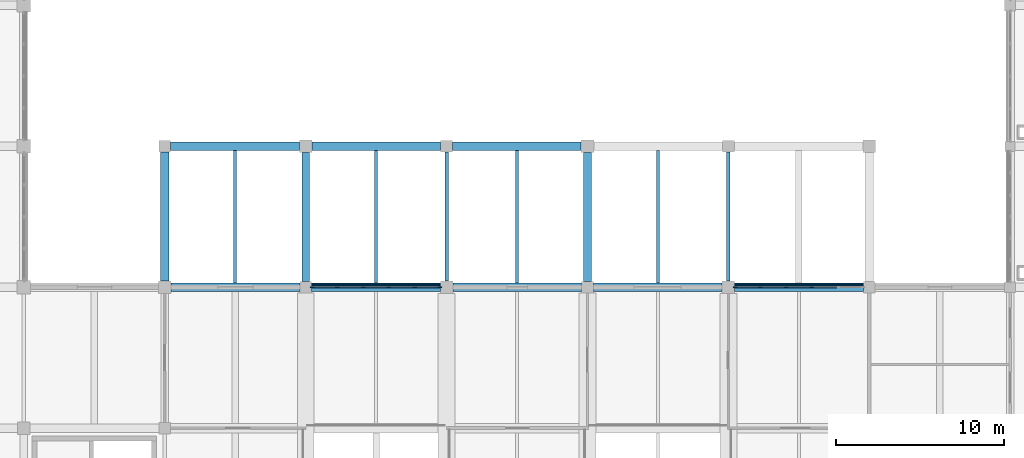
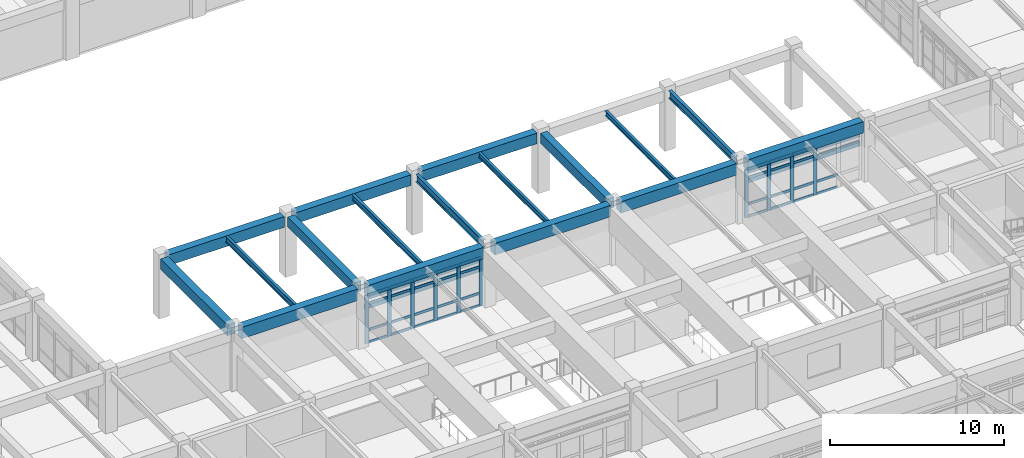
# One storey, part 33 of 99: 48 members, 17 beams, 2 elements without a shape of their own.
"""IFC4 building model written with IfcOpenShell, lengths in metres."""

from ifc_helpers import new_model, si_unit, direction, frame, origin, origin_2d, place, context, subcontext, project, spatial, rectangle, i_section, extrude, material, layer, layer_set, material_profile, profile_set, type_object, element, aggregate, save


model = new_model("IFC4")

# Units and contexts
model_context = context("Model", 3, precision=1e-05, world=origin(), true_north=direction((0.0, 1.0)))
body_context = subcontext(model_context, "Body", "Model", "MODEL_VIEW")
ifc_project = project(units=[si_unit("LENGTHUNIT", "METRE"), si_unit("AREAUNIT", "SQUARE_METRE"), si_unit("VOLUMEUNIT", "CUBIC_METRE"), si_unit("PLANEANGLEUNIT", "RADIAN"), si_unit("MASSUNIT", "GRAM", prefix="KILO")], contexts=[model_context])

# Site, building, storey
site_placement = place(None, origin())
site = spatial("IfcSite", under=ifc_project, at=site_placement, CompositionType="ELEMENT")
building_placement = place(site_placement, origin())
building = spatial("IfcBuilding", under=site, at=building_placement, Name="Porcellanite Civic Hall", CompositionType="ELEMENT")
storey_placement = place(building_placement, frame((0.0, 0.0, 5.760009765625)))
storey = spatial("IfcBuildingStorey", under=building, at=storey_placement, Name="L01", CompositionType="ELEMENT", Elevation=5.760009765625)

# Beams
ifc_material_1 = material(Name="Concrete N50 (50 MPa)", Category="concrete")
ifc_material_profile_1 = material_profile(ifc_material_1, rectangle(XDim=0.449951171875, YDim=0.699951171875, at=origin_2d()), Name="RC-450x700")
ifc_profile_set_1 = profile_set([ifc_material_profile_1], Name="Concrete N50 (50 MPa)")
beam_type_1 = type_object("IfcBeamType", Name="BM-RC700", PredefinedType="BEAM", material=ifc_profile_set_1)
for number, where, z_axis, x_axis, name in (
    (1, (75.60009765625, 67.549560546875, 3.85009765625), (0.0, 1.0, 0.0), (-1.0, 0.0, 0.0), "Beam Y L01 10-9"),
    (2, (92.39990234375, 67.549560546875, 3.85009765625), (0.0, 1.0, 0.0), (-1.0, 0.0, 0.0), "Beam Y L01 12-9"),
):
    element("IfcBeam", number, at=place(storey_placement, frame(where, z_axis=z_axis, x_axis=x_axis)), inside=storey, type_object=beam_type_1, Name=name, PredefinedType="BEAM", context=body_context, shape_type="SweptSolid", body=[
        extrude(rectangle(XDim=0.449951171875, YDim=0.699951171875, at=origin_2d()), origin(), (0.0, 0.0, 1.0), 7.676025390625),
    ])
ifc_material_2 = material(Name="Concrete N50 (50 MPa)", Category="concrete")
ifc_material_profile_2 = material_profile(ifc_material_2, rectangle(XDim=0.5, YDim=0.75, at=origin_2d()), Name="RC-500x750")
ifc_profile_set_2 = profile_set([ifc_material_profile_2], Name="Concrete N50 (50 MPa)")
beam_type_2 = type_object("IfcBeamType", Name="BM-RC750", PredefinedType="SPANDREL", material=ifc_profile_set_2)
beam_1_placement = place(storey_placement, frame((67.549560546875, 75.60009765625, 3.824951171875), z_axis=(1.0, 0.0, 0.0), x_axis=(0.0, 1.0, 0.0)))
element("IfcBeam", 3, at=beam_1_placement, inside=storey, type_object=beam_type_2, Name="Beam X L01 9-10", PredefinedType="SPANDREL", context=body_context, shape_type="SweptSolid", body=[
    extrude(rectangle(XDim=0.5, YDim=0.75, at=origin_2d()), origin(), (0.0, 0.0, 1.0), 7.676025390625),
])
for number, where, z_axis, x_axis, name in (
    (4, (75.974609375, 75.60009765625, 3.824951171875), (1.0, 0.0, 0.0), (0.0, 1.0, 0.0), "Beam X L01 10-10"),
    (5, (84.349609375, 75.60009765625, 3.824951171875), (1.0, 0.0, 0.0), (0.0, 1.0, 0.0), "Beam X L01 11-10"),
):
    element("IfcBeam", number, at=place(storey_placement, frame(where, z_axis=z_axis, x_axis=x_axis)), inside=storey, type_object=beam_type_2, Name=name, PredefinedType="SPANDREL", context=body_context, shape_type="SweptSolid", body=[
        extrude(rectangle(XDim=0.5, YDim=0.75, at=origin_2d()), origin(), (0.0, 0.0, 1.0), 7.67578125),
    ])
beam_2_placement = place(storey_placement, frame((67.199951171875, 67.574462890625, 3.824951171875), z_axis=(0.0, 1.0, 0.0), x_axis=(-1.0, 0.0, 0.0)))
element("IfcBeam", 6, at=beam_2_placement, inside=storey, type_object=beam_type_2, Name="Beam Y L01 9-9", PredefinedType="SPANDREL", context=body_context, shape_type="SweptSolid", body=[
    extrude(rectangle(XDim=0.5, YDim=0.75, at=origin_2d()), origin(), (0.0, 0.0, 1.0), 7.676025390625),
])
ifc_material_3 = material(Name="Concrete N50 (50 MPa)", Category="concrete")
ifc_material_profile_3 = material_profile(ifc_material_3, rectangle(XDim=0.5, YDim=0.800048828125, at=origin_2d()), Name="RC-500x800")
ifc_profile_set_3 = profile_set([ifc_material_profile_3], Name="Concrete N50 (50 MPa)")
beam_type_3 = type_object("IfcBeamType", Name="BM-RC800", PredefinedType="BEAM", material=ifc_profile_set_3)
for number, where, z_axis, x_axis, name in (
    (7, (67.574462890625, 67.199951171875, 3.800048828125), (1.0, 0.0, 0.0), (0.0, 1.0, 0.0), "Beam X L01 9-9"),
    (8, (75.949462890625, 67.199951171875, 3.800048828125), (1.0, 0.0, 0.0), (0.0, 1.0, 0.0), "Beam X L01 10-9"),
    (9, (84.37451171875, 67.199951171875, 3.800048828125), (1.0, 0.0, 0.0), (0.0, 1.0, 0.0), "Beam X L01 11-9"),
    (10, (92.74951171875, 67.199951171875, 3.800048828125), (1.0, 0.0, 0.0), (0.0, 1.0, 0.0), "Beam X L01 12-9"),
    (11, (101.174560546875, 67.199951171875, 3.800048828125), (1.0, 0.0, 0.0), (0.0, 1.0, 0.0), "Beam X L01 13-9"),
):
    element("IfcBeam", number, at=place(storey_placement, frame(where, z_axis=z_axis, x_axis=x_axis)), inside=storey, type_object=beam_type_3, Name=name, PredefinedType="BEAM", context=body_context, shape_type="SweptSolid", body=[
        extrude(rectangle(XDim=0.5, YDim=0.800048828125, at=origin_2d()), origin(), (0.0, 0.0, 1.0), 7.676025390625),
    ])

# Curtain wall, members
ifc_material_4 = material(Name="Anodised aluminium and solar laminated glass", Category="aluminium")
ifc_layer = layer(ifc_material_4, 0.179931640625)
ifc_layer_set = layer_set([ifc_layer], Name="Anodised aluminium and solar laminated glass")
curtain_wall_type = type_object("IfcCurtainWallType", Name="CW-SYS01", PredefinedType="NOTDEFINED", material=ifc_layer_set)
curtain_wall_1_placement = place(storey_placement, origin())
curtain_wall_1 = element("IfcCurtainWall", 12, at=curtain_wall_1_placement, inside=storey, type_object=curtain_wall_type, Name="Curtain wall CW-093", PredefinedType="NOTDEFINED")
ifc_material_5 = material(Name="Anodised aluminium 6063-T6", Category="aluminium")
ifc_material_profile_4 = material_profile(ifc_material_5, rectangle(XDim=0.080078125, YDim=0.239990234375, at=origin_2d()), Name="AL-80x240")
ifc_profile_set_4 = profile_set([ifc_material_profile_4], Name="Anodised aluminium 6063-T6")
member_type_1 = type_object("IfcMemberType", Name="CWM-01", PredefinedType="MULLION", material=ifc_profile_set_4)
member_1_placement = place(storey_placement, frame((75.990966796875, 67.199951171875, 0.0), z_axis=(0.0, 0.0, 1.0), x_axis=(0.0, 1.0, 0.0)))
member_1 = element("IfcMember", 13, at=member_1_placement, type_object=member_type_1, Name="CW-093 mullion 1", PredefinedType="MULLION", context=body_context, shape_type="SweptSolid", body=[
    extrude(rectangle(XDim=0.080078125, YDim=0.239990234375, at=origin_2d()), origin(), (0.0, 0.0, 1.0), 3.39990234375),
])
member_2_placement = place(storey_placement, frame((77.485595703125, 67.199951171875, 0.0), z_axis=(0.0, 0.0, 1.0), x_axis=(0.0, 1.0, 0.0)))
member_2 = element("IfcMember", 14, at=member_2_placement, type_object=member_type_1, Name="CW-093 mullion 2", PredefinedType="MULLION", context=body_context, shape_type="SweptSolid", body=[
    extrude(rectangle(XDim=0.080078125, YDim=0.239990234375, at=origin_2d()), origin(), (0.0, 0.0, 1.0), 3.39990234375),
])
member_3_placement = place(storey_placement, frame((79.020263671875, 67.199951171875, 0.0), z_axis=(0.0, 0.0, 1.0), x_axis=(0.0, 1.0, 0.0)))
member_3 = element("IfcMember", 15, at=member_3_placement, type_object=member_type_1, Name="CW-093 mullion 3", PredefinedType="MULLION", context=body_context, shape_type="SweptSolid", body=[
    extrude(rectangle(XDim=0.080078125, YDim=0.239990234375, at=origin_2d()), origin(), (0.0, 0.0, 1.0), 3.39990234375),
])
member_4_placement = place(storey_placement, frame((80.5546875, 67.199951171875, 0.0), z_axis=(0.0, 0.0, 1.0), x_axis=(0.0, 1.0, 0.0)))
member_4 = element("IfcMember", 16, at=member_4_placement, type_object=member_type_1, Name="CW-093 mullion 4", PredefinedType="MULLION", context=body_context, shape_type="SweptSolid", body=[
    extrude(rectangle(XDim=0.080078125, YDim=0.239990234375, at=origin_2d()), origin(), (0.0, 0.0, 1.0), 3.39990234375),
])
member_5_placement = place(storey_placement, frame((82.08935546875, 67.199951171875, 0.0), z_axis=(0.0, 0.0, 1.0), x_axis=(0.0, 1.0, 0.0)))
member_5 = element("IfcMember", 17, at=member_5_placement, type_object=member_type_1, Name="CW-093 mullion 5", PredefinedType="MULLION", context=body_context, shape_type="SweptSolid", body=[
    extrude(rectangle(XDim=0.080078125, YDim=0.239990234375, at=origin_2d()), origin(), (0.0, 0.0, 1.0), 3.39990234375),
])
member_6_placement = place(storey_placement, frame((83.583984375, 67.199951171875, 0.0), z_axis=(0.0, 0.0, 1.0), x_axis=(0.0, 1.0, 0.0)))
member_6 = element("IfcMember", 18, at=member_6_placement, type_object=member_type_1, Name="CW-093 mullion 6", PredefinedType="MULLION", context=body_context, shape_type="SweptSolid", body=[
    extrude(rectangle(XDim=0.080078125, YDim=0.239990234375, at=origin_2d()), origin(), (0.0, 0.0, 1.0), 3.39990234375),
])

curtain_wall_2_placement = place(storey_placement, origin())
curtain_wall_2 = element("IfcCurtainWall", 19, at=curtain_wall_2_placement, inside=storey, type_object=curtain_wall_type, Name="Curtain wall CW-103", PredefinedType="NOTDEFINED")
member_7_placement = place(storey_placement, frame((101.216064453125, 67.199951171875, 0.0), z_axis=(0.0, 0.0, 1.0), x_axis=(0.0, 1.0, 0.0)))
member_7 = element("IfcMember", 20, at=member_7_placement, type_object=member_type_1, Name="CW-103 mullion 1", PredefinedType="MULLION", context=body_context, shape_type="SweptSolid", body=[
    extrude(rectangle(XDim=0.080078125, YDim=0.239990234375, at=origin_2d()), origin(), (0.0, 0.0, 1.0), 3.39990234375),
])
member_8_placement = place(storey_placement, frame((102.710693359375, 67.199951171875, 0.0), z_axis=(0.0, 0.0, 1.0), x_axis=(0.0, 1.0, 0.0)))
member_8 = element("IfcMember", 21, at=member_8_placement, type_object=member_type_1, Name="CW-103 mullion 2", PredefinedType="MULLION", context=body_context, shape_type="SweptSolid", body=[
    extrude(rectangle(XDim=0.080078125, YDim=0.239990234375, at=origin_2d()), origin(), (0.0, 0.0, 1.0), 3.39990234375),
])
member_9_placement = place(storey_placement, frame((104.2451171875, 67.199951171875, 0.0), z_axis=(0.0, 0.0, 1.0), x_axis=(0.0, 1.0, 0.0)))
member_9 = element("IfcMember", 22, at=member_9_placement, type_object=member_type_1, Name="CW-103 mullion 3", PredefinedType="MULLION", context=body_context, shape_type="SweptSolid", body=[
    extrude(rectangle(XDim=0.080078125, YDim=0.239990234375, at=origin_2d()), origin(), (0.0, 0.0, 1.0), 3.39990234375),
])
member_10_placement = place(storey_placement, frame((105.77978515625, 67.199951171875, 0.0), z_axis=(0.0, 0.0, 1.0), x_axis=(0.0, 1.0, 0.0)))
member_10 = element("IfcMember", 23, at=member_10_placement, type_object=member_type_1, Name="CW-103 mullion 4", PredefinedType="MULLION", context=body_context, shape_type="SweptSolid", body=[
    extrude(rectangle(XDim=0.080078125, YDim=0.239990234375, at=origin_2d()), origin(), (0.0, 0.0, 1.0), 3.39990234375),
])

# Member
ifc_material_6 = material(Name="Anodised aluminium 6063-T6", Category="aluminium")
ifc_material_profile_5 = material_profile(ifc_material_6, rectangle(XDim=0.070068359375, YDim=0.175048828125, at=origin_2d()), Name="AL-70x175")
ifc_profile_set_5 = profile_set([ifc_material_profile_5], Name="Anodised aluminium 6063-T6")
member_type_2 = type_object("IfcMemberType", Name="CWT-01", PredefinedType="USERDEFINED", material=ifc_profile_set_5)
member_11_placement = place(storey_placement, frame((76.031005859375, 67.199951171875, 0.034912109375), z_axis=(1.0, 0.0, 0.0), x_axis=(0.0, 1.0, 0.0)))
member_11 = element("IfcMember", 24, at=member_11_placement, type_object=member_type_2, Name="CW-093 transom 1.1", ObjectType="TRANSOM", PredefinedType="USERDEFINED", context=body_context, shape_type="SweptSolid", body=[
    extrude(rectangle(XDim=0.070068359375, YDim=0.175048828125, at=origin_2d()), origin(), (0.0, 0.0, 1.0), 1.41455078125),
])

member_12_placement = place(storey_placement, frame((76.031005859375, 67.199951171875, 0.89990234375), z_axis=(1.0, 0.0, 0.0), x_axis=(0.0, 1.0, 0.0)))
member_12 = element("IfcMember", 25, at=member_12_placement, type_object=member_type_2, Name="CW-093 transom 1.2", ObjectType="TRANSOM", PredefinedType="USERDEFINED", context=body_context, shape_type="SweptSolid", body=[
    extrude(rectangle(XDim=0.070068359375, YDim=0.175048828125, at=origin_2d()), origin(), (0.0, 0.0, 1.0), 1.41455078125),
])

member_13_placement = place(storey_placement, frame((76.031005859375, 67.199951171875, 2.75), z_axis=(1.0, 0.0, 0.0), x_axis=(0.0, 1.0, 0.0)))
member_13 = element("IfcMember", 26, at=member_13_placement, type_object=member_type_2, Name="CW-093 transom 1.3", ObjectType="TRANSOM", PredefinedType="USERDEFINED", context=body_context, shape_type="SweptSolid", body=[
    extrude(rectangle(XDim=0.070068359375, YDim=0.175048828125, at=origin_2d()), origin(), (0.0, 0.0, 1.0), 1.41455078125),
])

member_14_placement = place(storey_placement, frame((76.031005859375, 67.199951171875, 3.364990234375), z_axis=(1.0, 0.0, 0.0), x_axis=(0.0, 1.0, 0.0)))
member_14 = element("IfcMember", 27, at=member_14_placement, type_object=member_type_2, Name="CW-093 transom 1.4", ObjectType="TRANSOM", PredefinedType="USERDEFINED", context=body_context, shape_type="SweptSolid", body=[
    extrude(rectangle(XDim=0.070068359375, YDim=0.175048828125, at=origin_2d()), origin(), (0.0, 0.0, 1.0), 1.41455078125),
])

member_15_placement = place(storey_placement, frame((77.525634765625, 67.199951171875, 0.034912109375), z_axis=(1.0, 0.0, 0.0), x_axis=(0.0, 1.0, 0.0)))
member_15 = element("IfcMember", 28, at=member_15_placement, type_object=member_type_2, Name="CW-093 transom 2.1", ObjectType="TRANSOM", PredefinedType="USERDEFINED", context=body_context, shape_type="SweptSolid", body=[
    extrude(rectangle(XDim=0.070068359375, YDim=0.175048828125, at=origin_2d()), origin(), (0.0, 0.0, 1.0), 1.45458984375),
])

member_16_placement = place(storey_placement, frame((77.525634765625, 67.199951171875, 0.89990234375), z_axis=(1.0, 0.0, 0.0), x_axis=(0.0, 1.0, 0.0)))
member_16 = element("IfcMember", 29, at=member_16_placement, type_object=member_type_2, Name="CW-093 transom 2.2", ObjectType="TRANSOM", PredefinedType="USERDEFINED", context=body_context, shape_type="SweptSolid", body=[
    extrude(rectangle(XDim=0.070068359375, YDim=0.175048828125, at=origin_2d()), origin(), (0.0, 0.0, 1.0), 1.45458984375),
])

member_17_placement = place(storey_placement, frame((77.525634765625, 67.199951171875, 2.75), z_axis=(1.0, 0.0, 0.0), x_axis=(0.0, 1.0, 0.0)))
member_17 = element("IfcMember", 30, at=member_17_placement, type_object=member_type_2, Name="CW-093 transom 2.3", ObjectType="TRANSOM", PredefinedType="USERDEFINED", context=body_context, shape_type="SweptSolid", body=[
    extrude(rectangle(XDim=0.070068359375, YDim=0.175048828125, at=origin_2d()), origin(), (0.0, 0.0, 1.0), 1.45458984375),
])

member_18_placement = place(storey_placement, frame((77.525634765625, 67.199951171875, 3.364990234375), z_axis=(1.0, 0.0, 0.0), x_axis=(0.0, 1.0, 0.0)))
member_18 = element("IfcMember", 31, at=member_18_placement, type_object=member_type_2, Name="CW-093 transom 2.4", ObjectType="TRANSOM", PredefinedType="USERDEFINED", context=body_context, shape_type="SweptSolid", body=[
    extrude(rectangle(XDim=0.070068359375, YDim=0.175048828125, at=origin_2d()), origin(), (0.0, 0.0, 1.0), 1.45458984375),
])

member_19_placement = place(storey_placement, frame((79.060302734375, 67.199951171875, 0.034912109375), z_axis=(1.0, 0.0, 0.0), x_axis=(0.0, 1.0, 0.0)))
member_19 = element("IfcMember", 32, at=member_19_placement, type_object=member_type_2, Name="CW-093 transom 3.1", ObjectType="TRANSOM", PredefinedType="USERDEFINED", context=body_context, shape_type="SweptSolid", body=[
    extrude(rectangle(XDim=0.070068359375, YDim=0.175048828125, at=origin_2d()), origin(), (0.0, 0.0, 1.0), 1.45458984375),
])

member_20_placement = place(storey_placement, frame((79.060302734375, 67.199951171875, 0.89990234375), z_axis=(1.0, 0.0, 0.0), x_axis=(0.0, 1.0, 0.0)))
member_20 = element("IfcMember", 33, at=member_20_placement, type_object=member_type_2, Name="CW-093 transom 3.2", ObjectType="TRANSOM", PredefinedType="USERDEFINED", context=body_context, shape_type="SweptSolid", body=[
    extrude(rectangle(XDim=0.070068359375, YDim=0.175048828125, at=origin_2d()), origin(), (0.0, 0.0, 1.0), 1.45458984375),
])

member_21_placement = place(storey_placement, frame((79.060302734375, 67.199951171875, 2.75), z_axis=(1.0, 0.0, 0.0), x_axis=(0.0, 1.0, 0.0)))
member_21 = element("IfcMember", 34, at=member_21_placement, type_object=member_type_2, Name="CW-093 transom 3.3", ObjectType="TRANSOM", PredefinedType="USERDEFINED", context=body_context, shape_type="SweptSolid", body=[
    extrude(rectangle(XDim=0.070068359375, YDim=0.175048828125, at=origin_2d()), origin(), (0.0, 0.0, 1.0), 1.45458984375),
])

member_22_placement = place(storey_placement, frame((79.060302734375, 67.199951171875, 3.364990234375), z_axis=(1.0, 0.0, 0.0), x_axis=(0.0, 1.0, 0.0)))
member_22 = element("IfcMember", 35, at=member_22_placement, type_object=member_type_2, Name="CW-093 transom 3.4", ObjectType="TRANSOM", PredefinedType="USERDEFINED", context=body_context, shape_type="SweptSolid", body=[
    extrude(rectangle(XDim=0.070068359375, YDim=0.175048828125, at=origin_2d()), origin(), (0.0, 0.0, 1.0), 1.45458984375),
])

member_23_placement = place(storey_placement, frame((80.5947265625, 67.199951171875, 0.034912109375), z_axis=(1.0, 0.0, 0.0), x_axis=(0.0, 1.0, 0.0)))
member_23 = element("IfcMember", 36, at=member_23_placement, type_object=member_type_2, Name="CW-093 transom 4.1", ObjectType="TRANSOM", PredefinedType="USERDEFINED", context=body_context, shape_type="SweptSolid", body=[
    extrude(rectangle(XDim=0.070068359375, YDim=0.175048828125, at=origin_2d()), origin(), (0.0, 0.0, 1.0), 1.45458984375),
])

member_24_placement = place(storey_placement, frame((80.5947265625, 67.199951171875, 0.89990234375), z_axis=(1.0, 0.0, 0.0), x_axis=(0.0, 1.0, 0.0)))
member_24 = element("IfcMember", 37, at=member_24_placement, type_object=member_type_2, Name="CW-093 transom 4.2", ObjectType="TRANSOM", PredefinedType="USERDEFINED", context=body_context, shape_type="SweptSolid", body=[
    extrude(rectangle(XDim=0.070068359375, YDim=0.175048828125, at=origin_2d()), origin(), (0.0, 0.0, 1.0), 1.45458984375),
])

member_25_placement = place(storey_placement, frame((80.5947265625, 67.199951171875, 2.75), z_axis=(1.0, 0.0, 0.0), x_axis=(0.0, 1.0, 0.0)))
member_25 = element("IfcMember", 38, at=member_25_placement, type_object=member_type_2, Name="CW-093 transom 4.3", ObjectType="TRANSOM", PredefinedType="USERDEFINED", context=body_context, shape_type="SweptSolid", body=[
    extrude(rectangle(XDim=0.070068359375, YDim=0.175048828125, at=origin_2d()), origin(), (0.0, 0.0, 1.0), 1.45458984375),
])

member_26_placement = place(storey_placement, frame((80.5947265625, 67.199951171875, 3.364990234375), z_axis=(1.0, 0.0, 0.0), x_axis=(0.0, 1.0, 0.0)))
member_26 = element("IfcMember", 39, at=member_26_placement, type_object=member_type_2, Name="CW-093 transom 4.4", ObjectType="TRANSOM", PredefinedType="USERDEFINED", context=body_context, shape_type="SweptSolid", body=[
    extrude(rectangle(XDim=0.070068359375, YDim=0.175048828125, at=origin_2d()), origin(), (0.0, 0.0, 1.0), 1.45458984375),
])

member_27_placement = place(storey_placement, frame((82.12939453125, 67.199951171875, 0.034912109375), z_axis=(1.0, 0.0, 0.0), x_axis=(0.0, 1.0, 0.0)))
member_27 = element("IfcMember", 40, at=member_27_placement, type_object=member_type_2, Name="CW-093 transom 5.1", ObjectType="TRANSOM", PredefinedType="USERDEFINED", context=body_context, shape_type="SweptSolid", body=[
    extrude(rectangle(XDim=0.070068359375, YDim=0.175048828125, at=origin_2d()), origin(), (0.0, 0.0, 1.0), 1.41455078125),
])

member_28_placement = place(storey_placement, frame((82.12939453125, 67.199951171875, 0.89990234375), z_axis=(1.0, 0.0, 0.0), x_axis=(0.0, 1.0, 0.0)))
member_28 = element("IfcMember", 41, at=member_28_placement, type_object=member_type_2, Name="CW-093 transom 5.2", ObjectType="TRANSOM", PredefinedType="USERDEFINED", context=body_context, shape_type="SweptSolid", body=[
    extrude(rectangle(XDim=0.070068359375, YDim=0.175048828125, at=origin_2d()), origin(), (0.0, 0.0, 1.0), 1.41455078125),
])

member_29_placement = place(storey_placement, frame((82.12939453125, 67.199951171875, 2.75), z_axis=(1.0, 0.0, 0.0), x_axis=(0.0, 1.0, 0.0)))
member_29 = element("IfcMember", 42, at=member_29_placement, type_object=member_type_2, Name="CW-093 transom 5.3", ObjectType="TRANSOM", PredefinedType="USERDEFINED", context=body_context, shape_type="SweptSolid", body=[
    extrude(rectangle(XDim=0.070068359375, YDim=0.175048828125, at=origin_2d()), origin(), (0.0, 0.0, 1.0), 1.41455078125),
])

member_30_placement = place(storey_placement, frame((82.12939453125, 67.199951171875, 3.364990234375), z_axis=(1.0, 0.0, 0.0), x_axis=(0.0, 1.0, 0.0)))
member_30 = element("IfcMember", 43, at=member_30_placement, type_object=member_type_2, Name="CW-093 transom 5.4", ObjectType="TRANSOM", PredefinedType="USERDEFINED", context=body_context, shape_type="SweptSolid", body=[
    extrude(rectangle(XDim=0.070068359375, YDim=0.175048828125, at=origin_2d()), origin(), (0.0, 0.0, 1.0), 1.41455078125),
])

aggregate(curtain_wall_1, [member_1, member_2, member_3, member_4, member_5, member_6, member_11, member_12, member_13, member_14, member_15, member_16, member_17, member_18, member_19, member_20, member_21, member_22, member_23, member_24, member_25, member_26, member_27, member_28, member_29, member_30])

member_31_placement = place(storey_placement, frame((101.256103515625, 67.199951171875, 0.034912109375), z_axis=(1.0, 0.0, 0.0), x_axis=(0.0, 1.0, 0.0)))
member_31 = element("IfcMember", 44, at=member_31_placement, type_object=member_type_2, Name="CW-103 transom 1.1", ObjectType="TRANSOM", PredefinedType="USERDEFINED", context=body_context, shape_type="SweptSolid", body=[
    extrude(rectangle(XDim=0.070068359375, YDim=0.175048828125, at=origin_2d()), origin(), (0.0, 0.0, 1.0), 1.41455078125),
])

member_32_placement = place(storey_placement, frame((101.256103515625, 67.199951171875, 0.89990234375), z_axis=(1.0, 0.0, 0.0), x_axis=(0.0, 1.0, 0.0)))
member_32 = element("IfcMember", 45, at=member_32_placement, type_object=member_type_2, Name="CW-103 transom 1.2", ObjectType="TRANSOM", PredefinedType="USERDEFINED", context=body_context, shape_type="SweptSolid", body=[
    extrude(rectangle(XDim=0.070068359375, YDim=0.175048828125, at=origin_2d()), origin(), (0.0, 0.0, 1.0), 1.41455078125),
])

member_33_placement = place(storey_placement, frame((101.256103515625, 67.199951171875, 2.75), z_axis=(1.0, 0.0, 0.0), x_axis=(0.0, 1.0, 0.0)))
member_33 = element("IfcMember", 46, at=member_33_placement, type_object=member_type_2, Name="CW-103 transom 1.3", ObjectType="TRANSOM", PredefinedType="USERDEFINED", context=body_context, shape_type="SweptSolid", body=[
    extrude(rectangle(XDim=0.070068359375, YDim=0.175048828125, at=origin_2d()), origin(), (0.0, 0.0, 1.0), 1.41455078125),
])

member_34_placement = place(storey_placement, frame((101.256103515625, 67.199951171875, 3.364990234375), z_axis=(1.0, 0.0, 0.0), x_axis=(0.0, 1.0, 0.0)))
member_34 = element("IfcMember", 47, at=member_34_placement, type_object=member_type_2, Name="CW-103 transom 1.4", ObjectType="TRANSOM", PredefinedType="USERDEFINED", context=body_context, shape_type="SweptSolid", body=[
    extrude(rectangle(XDim=0.070068359375, YDim=0.175048828125, at=origin_2d()), origin(), (0.0, 0.0, 1.0), 1.41455078125),
])

member_35_placement = place(storey_placement, frame((102.75048828125, 67.199951171875, 0.034912109375), z_axis=(1.0, 0.0, 0.0), x_axis=(0.0, 1.0, 0.0)))
member_35 = element("IfcMember", 48, at=member_35_placement, type_object=member_type_2, Name="CW-103 transom 2.1", ObjectType="TRANSOM", PredefinedType="USERDEFINED", context=body_context, shape_type="SweptSolid", body=[
    extrude(rectangle(XDim=0.070068359375, YDim=0.175048828125, at=origin_2d()), origin(), (0.0, 0.0, 1.0), 1.45458984375),
])

member_36_placement = place(storey_placement, frame((102.75048828125, 67.199951171875, 0.89990234375), z_axis=(1.0, 0.0, 0.0), x_axis=(0.0, 1.0, 0.0)))
member_36 = element("IfcMember", 49, at=member_36_placement, type_object=member_type_2, Name="CW-103 transom 2.2", ObjectType="TRANSOM", PredefinedType="USERDEFINED", context=body_context, shape_type="SweptSolid", body=[
    extrude(rectangle(XDim=0.070068359375, YDim=0.175048828125, at=origin_2d()), origin(), (0.0, 0.0, 1.0), 1.45458984375),
])

member_37_placement = place(storey_placement, frame((102.75048828125, 67.199951171875, 2.75), z_axis=(1.0, 0.0, 0.0), x_axis=(0.0, 1.0, 0.0)))
member_37 = element("IfcMember", 50, at=member_37_placement, type_object=member_type_2, Name="CW-103 transom 2.3", ObjectType="TRANSOM", PredefinedType="USERDEFINED", context=body_context, shape_type="SweptSolid", body=[
    extrude(rectangle(XDim=0.070068359375, YDim=0.175048828125, at=origin_2d()), origin(), (0.0, 0.0, 1.0), 1.45458984375),
])

member_38_placement = place(storey_placement, frame((102.75048828125, 67.199951171875, 3.364990234375), z_axis=(1.0, 0.0, 0.0), x_axis=(0.0, 1.0, 0.0)))
member_38 = element("IfcMember", 51, at=member_38_placement, type_object=member_type_2, Name="CW-103 transom 2.4", ObjectType="TRANSOM", PredefinedType="USERDEFINED", context=body_context, shape_type="SweptSolid", body=[
    extrude(rectangle(XDim=0.070068359375, YDim=0.175048828125, at=origin_2d()), origin(), (0.0, 0.0, 1.0), 1.45458984375),
])

member_39_placement = place(storey_placement, frame((104.28515625, 67.199951171875, 0.034912109375), z_axis=(1.0, 0.0, 0.0), x_axis=(0.0, 1.0, 0.0)))
member_39 = element("IfcMember", 52, at=member_39_placement, type_object=member_type_2, Name="CW-103 transom 3.1", ObjectType="TRANSOM", PredefinedType="USERDEFINED", context=body_context, shape_type="SweptSolid", body=[
    extrude(rectangle(XDim=0.070068359375, YDim=0.175048828125, at=origin_2d()), origin(), (0.0, 0.0, 1.0), 1.45458984375),
])

member_40_placement = place(storey_placement, frame((104.28515625, 67.199951171875, 0.89990234375), z_axis=(1.0, 0.0, 0.0), x_axis=(0.0, 1.0, 0.0)))
member_40 = element("IfcMember", 53, at=member_40_placement, type_object=member_type_2, Name="CW-103 transom 3.2", ObjectType="TRANSOM", PredefinedType="USERDEFINED", context=body_context, shape_type="SweptSolid", body=[
    extrude(rectangle(XDim=0.070068359375, YDim=0.175048828125, at=origin_2d()), origin(), (0.0, 0.0, 1.0), 1.45458984375),
])

member_41_placement = place(storey_placement, frame((104.28515625, 67.199951171875, 2.75), z_axis=(1.0, 0.0, 0.0), x_axis=(0.0, 1.0, 0.0)))
member_41 = element("IfcMember", 54, at=member_41_placement, type_object=member_type_2, Name="CW-103 transom 3.3", ObjectType="TRANSOM", PredefinedType="USERDEFINED", context=body_context, shape_type="SweptSolid", body=[
    extrude(rectangle(XDim=0.070068359375, YDim=0.175048828125, at=origin_2d()), origin(), (0.0, 0.0, 1.0), 1.45458984375),
])

member_42_placement = place(storey_placement, frame((104.28515625, 67.199951171875, 3.364990234375), z_axis=(1.0, 0.0, 0.0), x_axis=(0.0, 1.0, 0.0)))
member_42 = element("IfcMember", 55, at=member_42_placement, type_object=member_type_2, Name="CW-103 transom 3.4", ObjectType="TRANSOM", PredefinedType="USERDEFINED", context=body_context, shape_type="SweptSolid", body=[
    extrude(rectangle(XDim=0.070068359375, YDim=0.175048828125, at=origin_2d()), origin(), (0.0, 0.0, 1.0), 1.45458984375),
])

member_43_placement = place(storey_placement, frame((105.81982421875, 67.199951171875, 0.034912109375), z_axis=(1.0, 0.0, 0.0), x_axis=(0.0, 1.0, 0.0)))
member_43 = element("IfcMember", 56, at=member_43_placement, type_object=member_type_2, Name="CW-103 transom 4.1", ObjectType="TRANSOM", PredefinedType="USERDEFINED", context=body_context, shape_type="SweptSolid", body=[
    extrude(rectangle(XDim=0.070068359375, YDim=0.175048828125, at=origin_2d()), origin(), (0.0, 0.0, 1.0), 1.45458984375),
])

member_44_placement = place(storey_placement, frame((105.81982421875, 67.199951171875, 0.89990234375), z_axis=(1.0, 0.0, 0.0), x_axis=(0.0, 1.0, 0.0)))
member_44 = element("IfcMember", 57, at=member_44_placement, type_object=member_type_2, Name="CW-103 transom 4.2", ObjectType="TRANSOM", PredefinedType="USERDEFINED", context=body_context, shape_type="SweptSolid", body=[
    extrude(rectangle(XDim=0.070068359375, YDim=0.175048828125, at=origin_2d()), origin(), (0.0, 0.0, 1.0), 1.45458984375),
])

aggregate(curtain_wall_2, [member_7, member_8, member_9, member_10, member_31, member_32, member_33, member_34, member_35, member_36, member_37, member_38, member_39, member_40, member_41, member_42, member_43, member_44])

# Beams
ifc_material_7 = material(Name="Steel Grade 350", Category="steel")
ifc_material_profile_6 = material_profile(ifc_material_7, i_section(OverallWidth=0.1708984375, OverallDepth=0.35595703125, WebThickness=0.00732421875, FlangeThickness=0.011474609375, FilletRadius=0.011474609375, at=origin_2d()), Name="360UB50.7")
ifc_profile_set_6 = profile_set([ifc_material_profile_6], Name="Steel Grade 350")
beam_type_4 = type_object("IfcBeamType", Name="JST-360UB51", PredefinedType="JOIST", material=ifc_profile_set_6)
beam_3_placement = place(storey_placement, frame((96.60009765625, 67.449462890625, 4.02197265625), z_axis=(0.0, 1.0, 0.0), x_axis=(-1.0, 0.0, 0.0)))
element("IfcBeam", 58, at=beam_3_placement, inside=storey, type_object=beam_type_4, Name="Secondary joist L01 12-9", PredefinedType="JOIST", context=body_context, shape_type="SweptSolid", body=[
    extrude(i_section(OverallWidth=0.1708984375, OverallDepth=0.35595703125, WebThickness=0.00732421875, FlangeThickness=0.011474609375, FilletRadius=0.011474609375, at=origin_2d()), origin(), (0.0, 0.0, 1.0), 7.901123046875),
])
ifc_material_8 = material(Name="Steel Grade 350", Category="steel")
ifc_material_profile_7 = material_profile(ifc_material_8, i_section(OverallWidth=0.172119140625, OverallDepth=0.35888671875, WebThickness=0.008056640625, FlangeThickness=0.012939453125, FilletRadius=0.011474609375, at=origin_2d()), Name="360UB56.7")
ifc_profile_set_7 = profile_set([ifc_material_profile_7], Name="Steel Grade 350")
beam_type_5 = type_object("IfcBeamType", Name="JST-360UB57", PredefinedType="JOIST", material=ifc_profile_set_7)
beam_4_placement = place(storey_placement, frame((88.199951171875, 67.449462890625, 4.0205078125), z_axis=(0.0, 1.0, 0.0), x_axis=(-1.0, 0.0, 0.0)))
element("IfcBeam", 59, at=beam_4_placement, inside=storey, type_object=beam_type_5, Name="Secondary joist L01 11-9", PredefinedType="JOIST", context=body_context, shape_type="SweptSolid", body=[
    extrude(i_section(OverallWidth=0.172119140625, OverallDepth=0.35888671875, WebThickness=0.008056640625, FlangeThickness=0.012939453125, FilletRadius=0.011474609375, at=origin_2d()), origin(), (0.0, 0.0, 1.0), 7.901123046875),
])
ifc_material_9 = material(Name="Steel Grade 350", Category="steel")
ifc_material_profile_8 = material_profile(ifc_material_9, i_section(OverallWidth=0.177978515625, OverallDepth=0.403076171875, WebThickness=0.007568359375, FlangeThickness=0.010986328125, FilletRadius=0.011474609375, at=origin_2d()), Name="410UB53.7")
ifc_profile_set_8 = profile_set([ifc_material_profile_8], Name="Steel Grade 350")
beam_type_6 = type_object("IfcBeamType", Name="JST-410UB54", PredefinedType="JOIST", material=ifc_profile_set_8)
beam_5_placement = place(storey_placement, frame((79.800048828125, 67.449462890625, 3.99853515625), z_axis=(0.0, 1.0, 0.0), x_axis=(-1.0, 0.0, 0.0)))
element("IfcBeam", 60, at=beam_5_placement, inside=storey, type_object=beam_type_6, Name="Secondary joist L01 10-9", PredefinedType="JOIST", context=body_context, shape_type="SweptSolid", body=[
    extrude(i_section(OverallWidth=0.177978515625, OverallDepth=0.403076171875, WebThickness=0.007568359375, FlangeThickness=0.010986328125, FilletRadius=0.011474609375, at=origin_2d()), origin(), (0.0, 0.0, 1.0), 7.901123046875),
])
ifc_material_10 = material(Name="Steel Grade 350", Category="steel")
ifc_material_profile_9 = material_profile(ifc_material_10, i_section(OverallWidth=0.177978515625, OverallDepth=0.406005859375, WebThickness=0.0078125, FlangeThickness=0.0126953125, FilletRadius=0.011474609375, at=origin_2d()), Name="410UB59.7")
ifc_profile_set_9 = profile_set([ifc_material_profile_9], Name="Steel Grade 350")
beam_type_7 = type_object("IfcBeamType", Name="JST-410UB60", PredefinedType="JOIST", material=ifc_profile_set_9)
beam_6_placement = place(storey_placement, frame((71.39990234375, 67.449462890625, 3.9970703125), z_axis=(0.0, 1.0, 0.0), x_axis=(-1.0, 0.0, 0.0)))
element("IfcBeam", 61, at=beam_6_placement, inside=storey, type_object=beam_type_7, Name="Secondary joist L01 9-9", PredefinedType="JOIST", context=body_context, shape_type="SweptSolid", body=[
    extrude(i_section(OverallWidth=0.177978515625, OverallDepth=0.406005859375, WebThickness=0.0078125, FlangeThickness=0.0126953125, FilletRadius=0.011474609375, at=origin_2d()), origin(), (0.0, 0.0, 1.0), 7.901123046875),
])

# Members
ifc_material_11 = material(Name="Fluoropolymer bauxite-red aluminium 6063-T6", Category="aluminium")
ifc_material_profile_10 = material_profile(ifc_material_11, rectangle(XDim=0.090087890625, YDim=0.360107421875, at=origin_2d()), Name="AL-90x360")
ifc_profile_set_10 = profile_set([ifc_material_profile_10], Name="Fluoropolymer bauxite-red aluminium 6063-T6")
member_type_3 = type_object("IfcMemberType", Name="LV-BLD01", PredefinedType="USERDEFINED", material=ifc_profile_set_10)
for number, where, z_axis, x_axis, name in (
    (62, (75.949462890625, 67.366943359375, 3.10009765625), (1.0, 0.0, 0.0), (0.0, 1.0, 0.0), "Cyclone sunshade louvre L01 N 9-7 1"),
    (63, (75.949462890625, 67.366943359375, 2.449951171875), (1.0, 0.0, 0.0), (0.0, 1.0, 0.0), "Cyclone sunshade louvre L01 N 9-7 2"),
    (64, (101.174560546875, 67.366943359375, 3.10009765625), (1.0, 0.0, 0.0), (0.0, 1.0, 0.0), "Cyclone sunshade louvre L01 N 12-7 1"),
    (65, (101.174560546875, 67.366943359375, 2.449951171875), (1.0, 0.0, 0.0), (0.0, 1.0, 0.0), "Cyclone sunshade louvre L01 N 12-7 2"),
):
    element("IfcMember", number, at=place(storey_placement, frame(where, z_axis=z_axis, x_axis=x_axis)), inside=storey, type_object=member_type_3, Name=name, ObjectType="LOUVRE BLADE", PredefinedType="USERDEFINED", context=body_context, shape_type="SweptSolid", body=[
        extrude(rectangle(XDim=0.090087890625, YDim=0.360107421875, at=origin_2d()), origin(), (0.0, 0.0, 1.0), 7.676025390625),
    ])

# Beams
ifc_material_12 = material(Name="Steel Grade 350", Category="steel")
ifc_material_profile_11 = material_profile(ifc_material_12, i_section(OverallWidth=0.208984375, OverallDepth=0.528076171875, WebThickness=0.009521484375, FlangeThickness=0.01318359375, FilletRadius=0.013916015625, at=origin_2d()), Name="530UB82.0")
ifc_profile_set_11 = profile_set([ifc_material_profile_11], Name="Steel Grade 350")
beam_type_8 = type_object("IfcBeamType", Name="RAF-530UB82", PredefinedType="BEAM", material=ifc_profile_set_11)
for number, where, z_axis, x_axis, name in (
    (66, (84.0, 67.574462890625, 3.93603515625), (0.0, 1.0, 0.0), (-1.0, 0.0, 0.0), "Beam Y L01 11-9"),
    (67, (100.800048828125, 67.574462890625, 3.93603515625), (0.0, 1.0, 0.0), (-1.0, 0.0, 0.0), "Beam Y L01 13-9"),
):
    element("IfcBeam", number, at=place(storey_placement, frame(where, z_axis=z_axis, x_axis=x_axis)), inside=storey, type_object=beam_type_8, Name=name, PredefinedType="BEAM", context=body_context, shape_type="SweptSolid", body=[
        extrude(i_section(OverallWidth=0.208984375, OverallDepth=0.528076171875, WebThickness=0.009521484375, FlangeThickness=0.01318359375, FilletRadius=0.013916015625, at=origin_2d()), origin(), (0.0, 0.0, 1.0), 7.676025390625),
    ])

save(model, "model.ifc")
